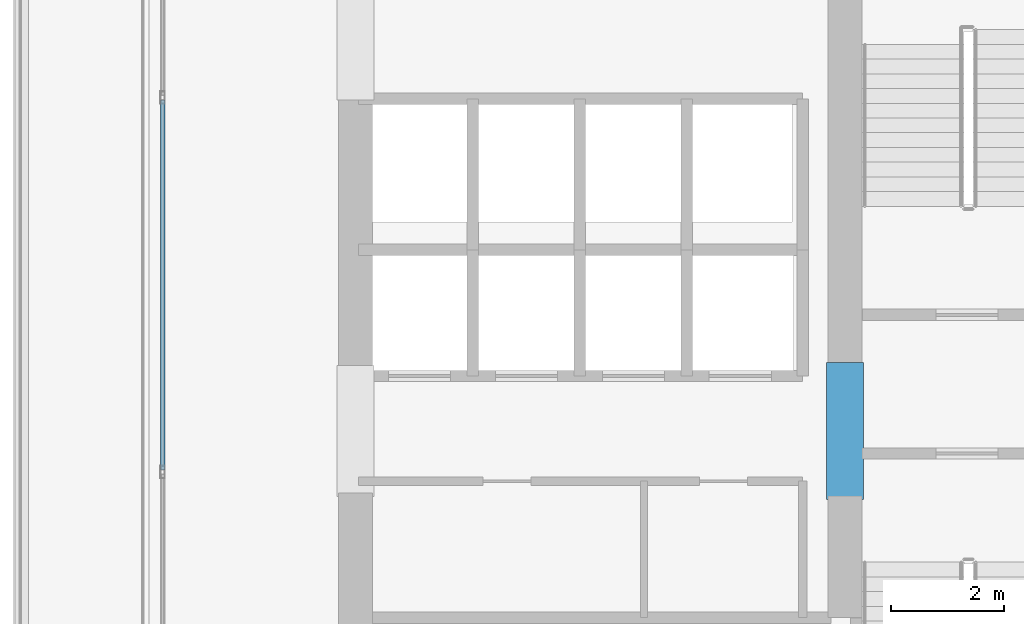
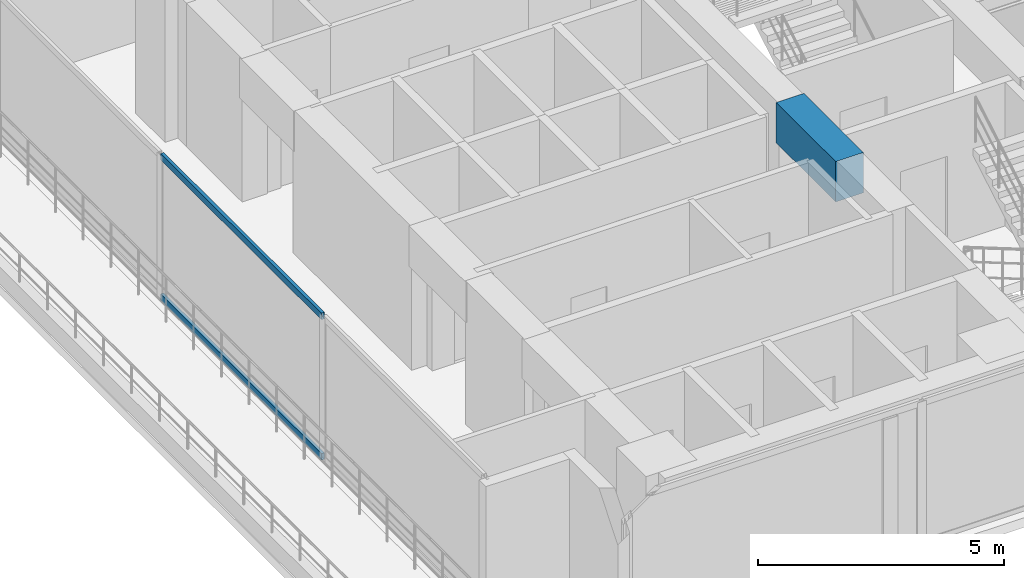
# One storey, part 3 of 28: 2 members, 1 beam, 1 element without a shape of its own.
"""IFC4 building model written with IfcOpenShell, lengths in metres."""

from ifc_helpers import new_model, si_unit, direction, frame, origin, origin_with_axes, origin_2d, place, context, subcontext, project, spatial, rectangle, hollow_rectangle, extrude, source, transform, mapped, material, layer, layer_set, material_profile, profile_set, type_object, element, aggregate, save


model = new_model("IFC4")

# Units and contexts
model_context = context("Model", 3, precision=1e-05, world=origin(), true_north=direction((0.0, 1.0)))
body_context = subcontext(model_context, "Body", "Model", "MODEL_VIEW")
ifc_project = project(units=[si_unit("LENGTHUNIT", "METRE"), si_unit("AREAUNIT", "SQUARE_METRE"), si_unit("VOLUMEUNIT", "CUBIC_METRE"), si_unit("PLANEANGLEUNIT", "RADIAN"), si_unit("MASSUNIT", "GRAM", prefix="KILO")], contexts=[model_context])

# Site, building, storey
site_placement = place(None, origin())
site = spatial("IfcSite", under=ifc_project, at=site_placement, CompositionType="ELEMENT")
building_placement = place(site_placement, origin())
building = spatial("IfcBuilding", under=site, at=building_placement, Name="Kolvaren Waterfront Exchange", CompositionType="ELEMENT")
storey_placement = place(building_placement, frame((0.0, 0.0, 146.199951171875)))
storey = spatial("IfcBuildingStorey", under=building, at=storey_placement, Name="L37", CompositionType="ELEMENT", Elevation=146.199951171875)

# Beam
ifc_material_1 = material(Name="Concrete C60/75", Category="concrete")
ifc_material_profile_1 = material_profile(ifc_material_1, rectangle(XDim=0.64990234375, YDim=1.0, at=origin_2d()), Name="RC-CB-1000x650")
ifc_profile_set_1 = profile_set([ifc_material_profile_1], Name="Concrete C60/75")
beam_type = type_object("IfcBeamType", Name="STR-CB-1000", PredefinedType="SPANDREL", material=ifc_profile_set_1)
beam_placement = place(storey_placement, frame((16.10009765625, 12.0400390625, 3.06005859375), z_axis=(0.0, 1.0, 0.0), x_axis=(-1.0, 0.0, 0.0)))
element("IfcBeam", 1, at=beam_placement, inside=storey, type_object=beam_type, Name="L37 core coupling beam 6", PredefinedType="SPANDREL", context=body_context, shape_type="SweptSolid", body=[
    extrude(rectangle(XDim=0.64990234375, YDim=1.0, at=origin_2d()), origin(), (0.0, 0.0, 1.0), 2.419921875),
])

# Curtain wall, members
ifc_material_2 = material(Name="Anodised aluminium 6063-T6", Category="aluminium")
ifc_layer = layer(ifc_material_2, 0.219970703125, Name="Anodised aluminium 6063-T6")
ifc_layer_set = layer_set([ifc_layer], Name="Anodised aluminium 6063-T6")
curtain_wall_type = type_object("IfcCurtainWallType", Name="ARC-CW-SYS2", PredefinedType="USERDEFINED", material=ifc_layer_set)
curtain_wall_placement = place(storey_placement, origin())
curtain_wall = element("IfcCurtainWall", 2, at=curtain_wall_placement, inside=storey, type_object=curtain_wall_type, Name="L37 stick curtain wall CW2 (CW-L37-W-1)", ObjectType="STICK CURTAIN WALL", PredefinedType="USERDEFINED")
ifc_material_profile_2 = material_profile(ifc_material_2, hollow_rectangle(XDim=0.074951171875, YDim=0.159912109375, WallThickness=0.00439453125, at=origin_2d()), Name="ALU-TRN-160x75x4.5")
ifc_profile_set_2 = profile_set([ifc_material_profile_2], Name="Anodised aluminium 6063-T6")
member_type = type_object("IfcMemberType", Name="ARC-CWT-160", PredefinedType="USERDEFINED", material=ifc_profile_set_2)
shared_shape = source(origin_with_axes(), body_context, "Body", "SweptSolid", [
    extrude(hollow_rectangle(XDim=0.074951171875, YDim=0.159912109375, WallThickness=0.00439453125, at=origin_2d()), origin(), (0.0, 0.0, 1.0), 6.5400390625),
])
member_1_placement = place(storey_placement, frame((4.0400390625, 12.56005859375, 0.03759765625), z_axis=(0.0, 1.0, 0.0), x_axis=(-1.0, 0.0, 0.0)))
member_1 = element("IfcMember", 3, at=member_1_placement, type_object=member_type, Name="CW2 transom 2.1", ObjectType="TRANSOM", PredefinedType="USERDEFINED", context=body_context, shape_type="MappedRepresentation", body=[
    mapped(shared_shape, transform((0.0, 0.0, 0.0), x_axis=(1.0, 0.0, 0.0), y_axis=(0.0, 1.0, 0.0), z_axis=(0.0, 0.0, 1.0), scale=1.0)),
])
member_2_placement = place(storey_placement, frame((4.0400390625, 12.56005859375, 3.5224609375), z_axis=(0.0, 1.0, 0.0), x_axis=(-1.0, 0.0, 0.0)))
member_2 = element("IfcMember", 4, at=member_2_placement, type_object=member_type, Name="CW2 transom 2.2", ObjectType="TRANSOM", PredefinedType="USERDEFINED", context=body_context, shape_type="MappedRepresentation", body=[
    mapped(shared_shape, transform((0.0, 0.0, 0.0), x_axis=(1.0, 0.0, 0.0), y_axis=(0.0, 1.0, 0.0), z_axis=(0.0, 0.0, 1.0), scale=1.0)),
])
aggregate(curtain_wall, [member_1, member_2])

save(model, "model.ifc")
